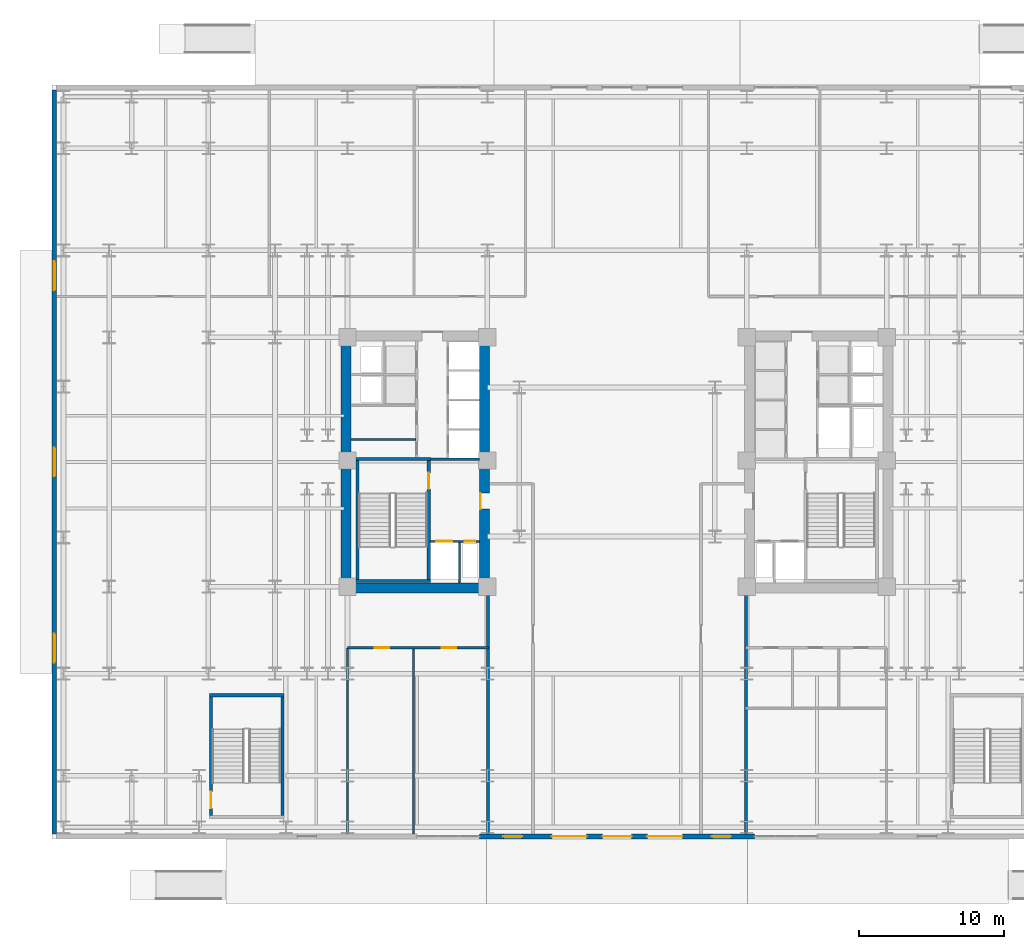
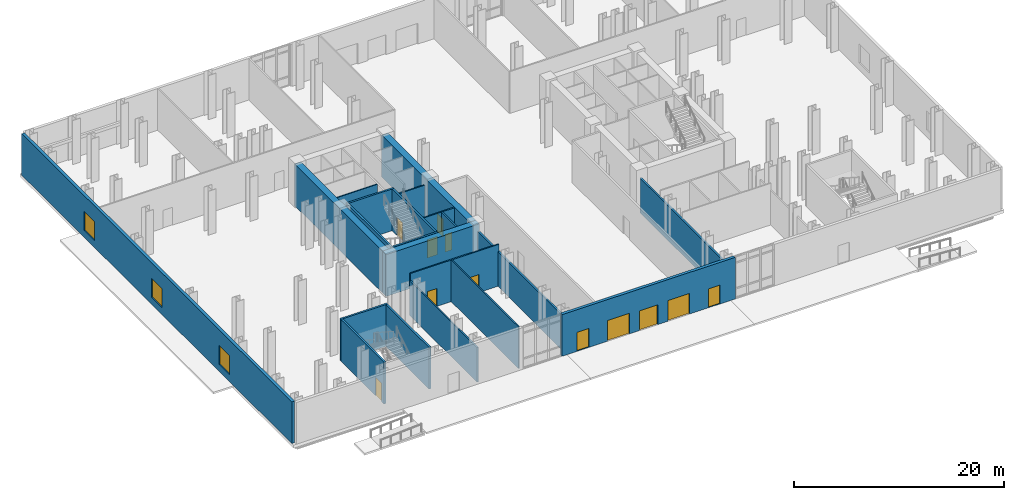
# One storey, part 11 of 21: 21 walls, 12 doors, 3 windows, 15 openings.
"""IFC4 building model written with IfcOpenShell, lengths in metres."""

from ifc_helpers import new_model, si_unit, direction, frame, frame_2d, origin, place, context, subcontext, project, spatial, rectangle, extrude, material, layer, layer_set, type_object, element, fill, save


model = new_model("IFC4")

# Units and contexts
model_context = context("Model", 3, precision=1e-05, world=origin(), true_north=direction((0.0, 1.0)))
body_context = subcontext(model_context, "Body", "Model", "MODEL_VIEW")
ifc_project = project(units=[si_unit("LENGTHUNIT", "METRE"), si_unit("AREAUNIT", "SQUARE_METRE"), si_unit("VOLUMEUNIT", "CUBIC_METRE"), si_unit("PLANEANGLEUNIT", "RADIAN"), si_unit("MASSUNIT", "GRAM", prefix="KILO")], contexts=[model_context])

# Site, building, storey
site_placement = place(None, origin())
site = spatial("IfcSite", under=ifc_project, at=site_placement, CompositionType="ELEMENT")
building_placement = place(site_placement, origin())
building = spatial("IfcBuilding", under=site, at=building_placement, Name="Velakula Bourse", CompositionType="ELEMENT")
storey_placement = place(building_placement, origin())
storey = spatial("IfcBuildingStorey", under=building, at=storey_placement, Name="L00", CompositionType="ELEMENT", Elevation=0.0)

# Wall, opening, door
ifc_material_1 = material(Name="Concrete M50 (fck 50 MPa)", Category="concrete")
ifc_layer_1 = layer(ifc_material_1, 0.2099609375, Name="Concrete M50 (fck 50 MPa)", Category="concrete")
ifc_layer_set_1 = layer_set([ifc_layer_1], Name="Concrete M50 (fck 50 MPa)")
wall_type_1 = type_object("IfcWallType", Name="WL-CORE-210", PredefinedType="SHEAR", material=ifc_layer_set_1)
wall_1_placement = place(storey_placement, frame((-12.9951171875, -8.10009765625, 0.0), z_axis=(0.0, 0.0, 1.0), x_axis=(0.0, 1.0, 0.0)))
wall_1 = element("IfcWall", 1, at=wall_1_placement, inside=storey, type_object=wall_type_1, Name="L00 Core W Stairwell Shear Wall IN", PredefinedType="SHEAR", context=body_context, shape_type="SweptSolid", body=[
    extrude(rectangle(XDim=8.2001953125, YDim=0.2099609375, at=frame_2d((4.10009765625, 0.0))), origin(), (0.0, 0.0, 1.0), 4.85009765625),
])
opening_1_placement = place(wall_1_placement, frame((6.25, 0.0, 0.0)))
opening_1 = element("IfcOpeningElement", 2, at=opening_1_placement, cuts=wall_1, Name="Opening D-STW1", PredefinedType="OPENING", context=body_context, shape_type="SweptSolid", body=[
    extrude(rectangle(XDim=1.10009765625, YDim=2.14990234375, at=frame_2d((0.550048828125, 1.074951171875))), frame((0.0, 0.114990234375, 0.0), z_axis=(0.0, -1.0, 0.0), x_axis=(1.0, 0.0, 0.0)), (0.0, 0.0, 1.0), 0.22998046875),
])
ifc_material_2 = material(Name="Galvanised painted hollow steel fire door", Category="steel")
door_type_1 = type_object("IfcDoorType", Name="DR-FD120-1100x2150", OperationType="NOTDEFINED", PredefinedType="DOOR", material=ifc_material_2)
door_1_placement = place(opening_1_placement, origin())
door_1 = element("IfcDoor", 3, at=door_1_placement, inside=storey, type_object=door_type_1, Name="L00 Stair ST-W1 Fire Door", OperationType="SINGLE_SWING_LEFT", OverallHeight=2.14990234375, OverallWidth=1.10009765625, PredefinedType="DOOR", context=body_context, shape_type="SweptSolid", body=[
    extrude(rectangle(XDim=1.10009765625, YDim=2.14990234375, at=frame_2d((0.550048828125, 1.074951171875))), frame((0.0, 0.02490234375, 0.0), z_axis=(0.0, -1.0, 0.0), x_axis=(1.0, 0.0, 0.0)), (0.0, 0.0, 1.0), 0.050048828125),
])
fill(opening_1, door_1)

# Walls
wall_2_placement = place(storey_placement, frame((-17.925048828125, -8.10009765625, 0.0), z_axis=(0.0, 0.0, 1.0), x_axis=(0.0, 1.0, 0.0)))
element("IfcWall", 4, at=wall_2_placement, inside=storey, type_object=wall_type_1, Name="L00 Core W Stairwell Shear Wall OUT", PredefinedType="SHEAR", context=body_context, shape_type="SweptSolid", body=[
    extrude(rectangle(XDim=8.2001953125, YDim=0.2099609375, at=frame_2d((4.10009765625, 0.0))), origin(), (0.0, 0.0, 1.0), 4.85009765625),
])
for number, where, z_axis, x_axis, name in (
    (5, (-18.030029296875, -8.205078125, 0.0), (0.0, 0.0, 1.0), (1.0, 0.0, 0.0), "L00 Core W Stairwell Shear Wall S"),
    (6, (-12.889892578125, 0.205078125, 0.0), (0.0, 0.0, 1.0), (-1.0, 0.0, 0.0), "L00 Core W Stairwell Shear Wall N"),
):
    element("IfcWall", number, at=place(storey_placement, frame(where, z_axis=z_axis, x_axis=x_axis)), inside=storey, type_object=wall_type_1, Name=name, PredefinedType="SHEAR", context=body_context, shape_type="SweptSolid", body=[
        extrude(rectangle(XDim=5.14013671875, YDim=0.2099609375, at=frame_2d((2.570068359375, 0.0))), origin(), (0.0, 0.0, 1.0), 4.85009765625),
    ])
wall_3_placement = place(storey_placement, frame((-28.1298828125, -16.094970703125, 0.0), z_axis=(0.0, 0.0, 1.0), x_axis=(1.0, 0.0, 0.0)))
element("IfcWall", 7, at=wall_3_placement, inside=storey, type_object=wall_type_1, Name="L00 Podium Stair ST-P1 Shear Wall N", PredefinedType="SHEAR", context=body_context, shape_type="SweptSolid", body=[
    extrude(rectangle(XDim=5.139892578125, YDim=0.2099609375, at=frame_2d((2.56982421875, 0.0))), origin(), (0.0, 0.0, 1.0), 4.85009765625),
])

# Wall, opening, door
wall_4_placement = place(storey_placement, frame((-28.02490234375, -24.39990234375, 0.0), z_axis=(0.0, 0.0, 1.0), x_axis=(0.0, 1.0, 0.0)))
wall_4 = element("IfcWall", 8, at=wall_4_placement, inside=storey, type_object=wall_type_1, Name="L00 Podium Stair ST-P1 Shear Wall W", PredefinedType="SHEAR", context=body_context, shape_type="SweptSolid", body=[
    extrude(rectangle(XDim=8.199951171875, YDim=0.2099609375, at=frame_2d((4.10009765625, 0.0))), origin(), (0.0, 0.0, 1.0), 4.85009765625),
])
opening_2_placement = place(wall_4_placement, frame((0.5, 0.0, 0.0)))
opening_2 = element("IfcOpeningElement", 9, at=opening_2_placement, cuts=wall_4, Name="Opening D-P1", PredefinedType="OPENING", context=body_context, shape_type="SweptSolid", body=[
    extrude(rectangle(XDim=1.14990234375, YDim=2.10009765625, at=frame_2d((0.574951171875, 1.050048828125))), frame((0.0, 0.114990234375, 0.0), z_axis=(0.0, -1.0, 0.0), x_axis=(1.0, 0.0, 0.0)), (0.0, 0.0, 1.0), 0.22998046875),
])
door_type_2 = type_object("IfcDoorType", Name="DR-FD120-1150x2100", OperationType="NOTDEFINED", PredefinedType="DOOR", material=ifc_material_2)
door_2_placement = place(opening_2_placement, origin())
door_2 = element("IfcDoor", 10, at=door_2_placement, inside=storey, type_object=door_type_2, Name="L00 Stair ST-P1 Concourse Discharge Door", OperationType="SINGLE_SWING_RIGHT", OverallHeight=2.10009765625, OverallWidth=1.14990234375, PredefinedType="DOOR", context=body_context, shape_type="SweptSolid", body=[
    extrude(rectangle(XDim=1.14990234375, YDim=2.10009765625, at=frame_2d((0.574951171875, 1.050048828125))), frame((0.0, 0.02490234375, 0.0), z_axis=(0.0, -1.0, 0.0), x_axis=(1.0, 0.0, 0.0)), (0.0, 0.0, 1.0), 0.050048828125),
])
fill(opening_2, door_2)

# Walls
wall_5_placement = place(storey_placement, frame((-23.094970703125, -24.39990234375, 0.0), z_axis=(0.0, 0.0, 1.0), x_axis=(0.0, 1.0, 0.0)))
element("IfcWall", 11, at=wall_5_placement, inside=storey, type_object=wall_type_1, Name="L00 Podium Stair ST-P1 Shear Wall E", PredefinedType="SHEAR", context=body_context, shape_type="SweptSolid", body=[
    extrude(rectangle(XDim=8.199951171875, YDim=0.2099609375, at=frame_2d((4.10009765625, 0.0))), origin(), (0.0, 0.0, 1.0), 4.85009765625),
])
ifc_material_3 = material(Name="Concrete M70 (fck 70 MPa)", Category="concrete")
ifc_layer_2 = layer(ifc_material_3, 0.699951171875, Name="Concrete M70 (fck 70 MPa)", Category="concrete")
ifc_layer_set_2 = layer_set([ifc_layer_2], Name="Concrete M70 (fck 70 MPa)")
wall_type_2 = type_object("IfcWallType", Name="WL-CORE-700", PredefinedType="SHEAR", material=ifc_layer_set_2)
wall_6_placement = place(storey_placement, frame((-19.050048828125, -8.699951171875, 0.0), z_axis=(0.0, 0.0, 1.0), x_axis=(1.0, 0.0, 0.0)))
element("IfcWall", 12, at=wall_6_placement, inside=storey, type_object=wall_type_2, Name="L00 Core W Shear Wall S", PredefinedType="SHEAR", context=body_context, shape_type="SweptSolid", body=[
    extrude(rectangle(XDim=10.25, YDim=0.699951171875, at=frame_2d((5.125, 0.0))), origin(), (0.0, 0.0, 1.0), 4.85009765625),
])
wall_7_placement = place(storey_placement, frame((-18.699951171875, -8.35009765625, 0.0), z_axis=(0.0, 0.0, 1.0), x_axis=(0.0, 1.0, 0.0)))
element("IfcWall", 13, at=wall_7_placement, inside=storey, type_object=wall_type_2, Name="L00 Core W Shear Wall W", PredefinedType="SHEAR", context=body_context, shape_type="SweptSolid", body=[
    extrude(rectangle(XDim=16.7001953125, YDim=0.699951171875, at=frame_2d((8.35009765625, 0.0))), origin(), (0.0, 0.0, 1.0), 4.85009765625),
])

# Wall, opening, door
wall_8_placement = place(storey_placement, frame((-9.14990234375, -8.35009765625, 0.0), z_axis=(0.0, 0.0, 1.0), x_axis=(0.0, 1.0, 0.0)))
wall_8 = element("IfcWall", 14, at=wall_8_placement, inside=storey, type_object=wall_type_2, Name="L00 Core W Shear Wall E", PredefinedType="SHEAR", context=body_context, shape_type="SweptSolid", body=[
    extrude(rectangle(XDim=16.7001953125, YDim=0.699951171875, at=frame_2d((8.35009765625, 0.0))), origin(), (0.0, 0.0, 1.0), 4.85009765625),
])
opening_3_placement = place(wall_8_placement, frame((5.10009765625, 0.0, 0.0)))
opening_3 = element("IfcOpeningElement", 15, at=opening_3_placement, cuts=wall_8, Name="Opening D-FLW", PredefinedType="OPENING", context=body_context, shape_type="SweptSolid", body=[
    extrude(rectangle(XDim=1.10009765625, YDim=2.080078125, at=frame_2d((0.550048828125, 1.0400390625))), frame((0.0, 0.35986328125, 0.0), z_axis=(0.0, -1.0, 0.0), x_axis=(1.0, 0.0, 0.0)), (0.0, 0.0, 1.0), 0.719970703125),
])
door_type_3 = type_object("IfcDoorType", Name="DR-FD120-1100", OperationType="NOTDEFINED", PredefinedType="DOOR", material=ifc_material_2)
door_3_placement = place(opening_3_placement, origin())
door_3 = element("IfcDoor", 16, at=door_3_placement, inside=storey, type_object=door_type_3, Name="L00 Firefighting Lobby W Corridor Fire Door", OperationType="SINGLE_SWING_LEFT", OverallHeight=2.080078125, OverallWidth=1.10009765625, PredefinedType="DOOR", context=body_context, shape_type="SweptSolid", body=[
    extrude(rectangle(XDim=1.10009765625, YDim=2.080078125, at=frame_2d((0.550048828125, 1.0400390625))), frame((0.0, 0.30517578125, 0.0), z_axis=(0.0, -1.0, 0.0), x_axis=(1.0, 0.0, 0.0)), (0.0, 0.0, 1.0), 0.050048828125),
])
fill(opening_3, door_3)

# Wall, openings, doors
ifc_material_4 = material(Name="Red kilned clay facing brick masonry", Category="masonry")
ifc_layer_3 = layer(ifc_material_4, 0.320068359375, Name="Red kilned clay facing brick masonry", Category="masonry")
ifc_layer_set_3 = layer_set([ifc_layer_3], Name="Red kilned clay facing brick masonry")
wall_type_3 = type_object("IfcWallType", Name="WL-EXT-BRK-320", PredefinedType="STANDARD", material=ifc_layer_set_3)
wall_9_placement = place(storey_placement, frame((9.5, -25.840087890625, 0.0), z_axis=(0.0, 0.0, 1.0), x_axis=(-1.0, 0.0, 0.0)))
wall_9 = element("IfcWall", 17, at=wall_9_placement, inside=storey, type_object=wall_type_3, Name="L00 South Brick Facade Wall 3", PredefinedType="STANDARD", context=body_context, shape_type="SweptSolid", body=[
    extrude(rectangle(XDim=19.0, YDim=0.320068359375, at=frame_2d((9.5, 0.0))), origin(), (0.0, 0.0, 1.0), 4.830078125),
])
opening_4_placement = place(wall_9_placement, frame((1.64990234375, 0.0, 0.0)))
opening_4 = element("IfcOpeningElement", 18, at=opening_4_placement, cuts=wall_9, Name="Opening D-EXD-E1", PredefinedType="OPENING", context=body_context, shape_type="SweptSolid", body=[
    extrude(rectangle(XDim=1.300048828125, YDim=2.199951171875, at=frame_2d((0.64990234375, 1.10009765625))), frame((0.0, 0.169921875, 0.0), z_axis=(0.0, -1.0, 0.0), x_axis=(1.0, 0.0, 0.0)), (0.0, 0.0, 1.0), 0.340087890625),
])
opening_5_placement = place(wall_9_placement, frame((5.0, 0.0, 0.0)))
opening_5 = element("IfcOpeningElement", 19, at=opening_5_placement, cuts=wall_9, Name="Opening G-ST1", PredefinedType="OPENING", context=body_context, shape_type="SweptSolid", body=[
    extrude(rectangle(XDim=2.39990234375, YDim=2.39990234375, at=frame_2d((1.199951171875, 1.199951171875))), frame((0.0, 0.169921875, 0.0), z_axis=(0.0, -1.0, 0.0), x_axis=(1.0, 0.0, 0.0)), (0.0, 0.0, 1.0), 0.340087890625),
])
opening_6_placement = place(wall_9_placement, frame((8.5, 0.0, 0.0)))
opening_6 = element("IfcOpeningElement", 20, at=opening_6_placement, cuts=wall_9, Name="Opening D-EX0", PredefinedType="OPENING", context=body_context, shape_type="SweptSolid", body=[
    extrude(rectangle(XDim=2.0, YDim=2.300048828125, at=frame_2d((1.0, 1.14990234375))), frame((0.0, 0.169921875, 0.0), z_axis=(0.0, -1.0, 0.0), x_axis=(1.0, 0.0, 0.0)), (0.0, 0.0, 1.0), 0.340087890625),
])
opening_7_placement = place(wall_9_placement, frame((11.60009765625, 0.0, 0.0)))
opening_7 = element("IfcOpeningElement", 21, at=opening_7_placement, cuts=wall_9, Name="Opening G-ST1", PredefinedType="OPENING", context=body_context, shape_type="SweptSolid", body=[
    extrude(rectangle(XDim=2.39990234375, YDim=2.39990234375, at=frame_2d((1.199951171875, 1.199951171875))), frame((0.0, 0.169921875, 0.0), z_axis=(0.0, -1.0, 0.0), x_axis=(1.0, 0.0, 0.0)), (0.0, 0.0, 1.0), 0.340087890625),
])
opening_8_placement = place(wall_9_placement, frame((16.050048828125, 0.0, 0.0)))
opening_8 = element("IfcOpeningElement", 22, at=opening_8_placement, cuts=wall_9, Name="Opening D-EXD-W1", PredefinedType="OPENING", context=body_context, shape_type="SweptSolid", body=[
    extrude(rectangle(XDim=1.300048828125, YDim=2.199951171875, at=frame_2d((0.64990234375, 1.10009765625))), frame((0.0, 0.169921875, 0.0), z_axis=(0.0, -1.0, 0.0), x_axis=(1.0, 0.0, 0.0)), (0.0, 0.0, 1.0), 0.340087890625),
])
ifc_material_5 = material(Name="Anodised bronze architectural aluminium", Category="aluminium")
door_type_4 = type_object("IfcDoorType", Name="DR-EXT-DBL-2000", OperationType="DOUBLE_DOOR_SINGLE_SWING", PredefinedType="DOOR", material=ifc_material_5)
door_4_placement = place(opening_6_placement, origin())
door_4 = element("IfcDoor", 23, at=door_4_placement, inside=storey, type_object=door_type_4, Name="L00 Exchange Main South Entrance Door", OperationType="DOUBLE_DOOR_SINGLE_SWING", OverallHeight=2.300048828125, OverallWidth=2.0, PredefinedType="DOOR", context=body_context, shape_type="SweptSolid", body=[
    extrude(rectangle(XDim=2.0, YDim=2.300048828125, at=frame_2d((1.0, 1.14990234375))), frame((0.0, 0.02490234375, 0.0), z_axis=(0.0, -1.0, 0.0), x_axis=(1.0, 0.0, 0.0)), (0.0, 0.0, 1.0), 0.050048828125),
])
fill(opening_6, door_4)
door_type_5 = type_object("IfcDoorType", Name="DR-EXT-EXIT-1300", OperationType="NOTDEFINED", PredefinedType="DOOR", material=ifc_material_5)
door_5_placement = place(opening_4_placement, origin())
door_5 = element("IfcDoor", 24, at=door_5_placement, inside=storey, type_object=door_type_5, Name="L00 East Protected Exit Passage Final Exit Door", OperationType="SINGLE_SWING_RIGHT", OverallHeight=2.199951171875, OverallWidth=1.300048828125, PredefinedType="DOOR", context=body_context, shape_type="SweptSolid", body=[
    extrude(rectangle(XDim=1.300048828125, YDim=2.199951171875, at=frame_2d((0.64990234375, 1.10009765625))), frame((0.0, 0.02490234375, 0.0), z_axis=(0.0, -1.0, 0.0), x_axis=(1.0, 0.0, 0.0)), (0.0, 0.0, 1.0), 0.050048828125),
])
fill(opening_4, door_5)
door_6_placement = place(opening_8_placement, origin())
door_6 = element("IfcDoor", 25, at=door_6_placement, inside=storey, type_object=door_type_5, Name="L00 West Protected Exit Passage Final Exit Door", OperationType="SINGLE_SWING_LEFT", OverallHeight=2.199951171875, OverallWidth=1.300048828125, PredefinedType="DOOR", context=body_context, shape_type="SweptSolid", body=[
    extrude(rectangle(XDim=1.300048828125, YDim=2.199951171875, at=frame_2d((0.64990234375, 1.10009765625))), frame((0.0, 0.02490234375, 0.0), z_axis=(0.0, -1.0, 0.0), x_axis=(1.0, 0.0, 0.0)), (0.0, 0.0, 1.0), 0.050048828125),
])
fill(opening_8, door_6)
door_type_6 = type_object("IfcDoorType", Name="DR-GATE-STN-2400", OperationType="DOUBLE_DOOR_SINGLE_SWING", PredefinedType="GATE", material=ifc_material_5)
door_7_placement = place(opening_5_placement, origin())
door_7 = element("IfcDoor", 26, at=door_7_placement, inside=storey, type_object=door_type_6, Name="L00 South Metro Portal Gate East", OperationType="DOUBLE_DOOR_SINGLE_SWING", OverallHeight=2.39990234375, OverallWidth=2.39990234375, PredefinedType="GATE", context=body_context, shape_type="SweptSolid", body=[
    extrude(rectangle(XDim=2.39990234375, YDim=2.39990234375, at=frame_2d((1.199951171875, 1.199951171875))), frame((0.0, 0.02490234375, 0.0), z_axis=(0.0, -1.0, 0.0), x_axis=(1.0, 0.0, 0.0)), (0.0, 0.0, 1.0), 0.050048828125),
])
fill(opening_5, door_7)
door_8_placement = place(opening_7_placement, origin())
door_8 = element("IfcDoor", 27, at=door_8_placement, inside=storey, type_object=door_type_6, Name="L00 South Metro Portal Gate West", OperationType="DOUBLE_DOOR_SINGLE_SWING", OverallHeight=2.39990234375, OverallWidth=2.39990234375, PredefinedType="GATE", context=body_context, shape_type="SweptSolid", body=[
    extrude(rectangle(XDim=2.39990234375, YDim=2.39990234375, at=frame_2d((1.199951171875, 1.199951171875))), frame((0.0, 0.02490234375, 0.0), z_axis=(0.0, -1.0, 0.0), x_axis=(1.0, 0.0, 0.0)), (0.0, 0.0, 1.0), 0.050048828125),
])
fill(opening_7, door_8)

# Wall, openings, windows
wall_10_placement = place(storey_placement, frame((-38.840087890625, -25.679931640625, 0.0), z_axis=(0.0, 0.0, 1.0), x_axis=(0.0, 1.0, 0.0)))
wall_10 = element("IfcWall", 28, at=wall_10_placement, inside=storey, type_object=wall_type_3, Name="L00 W Brick Facade Wall", PredefinedType="STANDARD", context=body_context, shape_type="SweptSolid", body=[
    extrude(rectangle(XDim=51.35986328125, YDim=0.320068359375, at=frame_2d((25.679931640625, 0.0))), origin(), (0.0, 0.0, 1.0), 4.830078125),
])
opening_9_placement = place(wall_10_placement, frame((11.840087890625, 0.0, 0.800048828125)))
opening_9 = element("IfcOpeningElement", 29, at=opening_9_placement, cuts=wall_10, Name="Opening W-07", PredefinedType="OPENING", context=body_context, shape_type="SweptSolid", body=[
    extrude(rectangle(XDim=2.0, YDim=2.199951171875, at=frame_2d((1.0, 1.10009765625))), frame((0.0, 0.169921875, 0.0), z_axis=(0.0, -1.0, 0.0), x_axis=(1.0, 0.0, 0.0)), (0.0, 0.0, 1.0), 0.340087890625),
])
opening_10_placement = place(wall_10_placement, frame((24.679931640625, 0.0, 0.800048828125)))
opening_10 = element("IfcOpeningElement", 30, at=opening_10_placement, cuts=wall_10, Name="Opening W-07", PredefinedType="OPENING", context=body_context, shape_type="SweptSolid", body=[
    extrude(rectangle(XDim=2.0, YDim=2.199951171875, at=frame_2d((1.0, 1.10009765625))), frame((0.0, 0.169921875, 0.0), z_axis=(0.0, -1.0, 0.0), x_axis=(1.0, 0.0, 0.0)), (0.0, 0.0, 1.0), 0.340087890625),
])
opening_11_placement = place(wall_10_placement, frame((37.52001953125, 0.0, 0.800048828125)))
opening_11 = element("IfcOpeningElement", 31, at=opening_11_placement, cuts=wall_10, Name="Opening W-07", PredefinedType="OPENING", context=body_context, shape_type="SweptSolid", body=[
    extrude(rectangle(XDim=2.0, YDim=2.199951171875, at=frame_2d((1.0, 1.10009765625))), frame((0.0, 0.169921875, 0.0), z_axis=(0.0, -1.0, 0.0), x_axis=(1.0, 0.0, 0.0)), (0.0, 0.0, 1.0), 0.340087890625),
])
ifc_material_6 = material(Name="Double-glazed solar-control Low-E glass", Category="glass")
window_type = type_object("IfcWindowType", Name="WIN-POD-2000x2400", PartitioningType="DOUBLE_PANEL_VERTICAL", PredefinedType="WINDOW", material=ifc_material_6)
window_1_placement = place(opening_9_placement, origin())
window_1 = element("IfcWindow", 32, at=window_1_placement, inside=storey, type_object=window_type, Name="L00 Deep-Set Recessed Window 1", OverallHeight=2.199951171875, OverallWidth=2.0, PartitioningType="DOUBLE_PANEL_VERTICAL", PredefinedType="WINDOW", context=body_context, shape_type="SweptSolid", body=[
    extrude(rectangle(XDim=2.0, YDim=2.199951171875, at=frame_2d((1.0, 1.10009765625))), frame((0.0, 0.030029296875, 0.0), z_axis=(0.0, -1.0, 0.0), x_axis=(1.0, 0.0, 0.0)), (0.0, 0.0, 1.0), 0.06005859375),
])
fill(opening_9, window_1)
window_2_placement = place(opening_10_placement, origin())
window_2 = element("IfcWindow", 33, at=window_2_placement, inside=storey, type_object=window_type, Name="L00 Deep-Set Recessed Window 2", OverallHeight=2.199951171875, OverallWidth=2.0, PartitioningType="DOUBLE_PANEL_VERTICAL", PredefinedType="WINDOW", context=body_context, shape_type="SweptSolid", body=[
    extrude(rectangle(XDim=2.0, YDim=2.199951171875, at=frame_2d((1.0, 1.10009765625))), frame((0.0, 0.030029296875, 0.0), z_axis=(0.0, -1.0, 0.0), x_axis=(1.0, 0.0, 0.0)), (0.0, 0.0, 1.0), 0.06005859375),
])
fill(opening_10, window_2)
window_3_placement = place(opening_11_placement, origin())
window_3 = element("IfcWindow", 34, at=window_3_placement, inside=storey, type_object=window_type, Name="L00 Deep-Set Recessed Window 3", OverallHeight=2.199951171875, OverallWidth=2.0, PartitioningType="DOUBLE_PANEL_VERTICAL", PredefinedType="WINDOW", context=body_context, shape_type="SweptSolid", body=[
    extrude(rectangle(XDim=2.0, YDim=2.199951171875, at=frame_2d((1.0, 1.10009765625))), frame((0.0, 0.030029296875, 0.0), z_axis=(0.0, -1.0, 0.0), x_axis=(1.0, 0.0, 0.0)), (0.0, 0.0, 1.0), 0.06005859375),
])
fill(opening_11, window_3)

# Wall
ifc_material_7 = material(Name="Fire-rated double-layer gypsum drywall partition", Category="gypsum")
ifc_layer_4 = layer(ifc_material_7, 0.1201171875, Name="Fire-rated double-layer gypsum drywall partition", Category="gypsum")
ifc_layer_set_4 = layer_set([ifc_layer_4], Name="Fire-rated double-layer gypsum drywall partition")
wall_type_4 = type_object("IfcWallType", Name="WL-PART-120", PredefinedType="STANDARD", material=ifc_layer_set_4)
wall_11_placement = place(storey_placement, frame((-18.35009765625, 1.550048828125, 0.0), z_axis=(0.0, 0.0, 1.0), x_axis=(1.0, 0.0, 0.0)))
element("IfcWall", 35, at=wall_11_placement, inside=storey, type_object=wall_type_4, Name="L00 Interior Partition WL-CRW-L00-K1", PredefinedType="STANDARD", context=body_context, shape_type="SweptSolid", body=[
    extrude(rectangle(XDim=4.4501953125, YDim=0.1201171875, at=frame_2d((2.22509765625, 0.0))), origin(), (0.0, 0.0, 1.0), 4.830078125),
])

# Wall, openings, doors
ifc_layer_5 = layer(ifc_material_7, 0.139892578125, Name="Fire-rated double-layer gypsum drywall partition", Category="gypsum")
ifc_layer_set_5 = layer_set([ifc_layer_5], Name="Fire-rated double-layer gypsum drywall partition")
wall_type_5 = type_object("IfcWallType", Name="WL-PART-140", PredefinedType="STANDARD", material=ifc_layer_set_5)
wall_12_placement = place(storey_placement, frame((-18.60009765625, -12.820068359375, 0.0), z_axis=(0.0, 0.0, 1.0), x_axis=(1.0, 0.0, 0.0)))
wall_12 = element("IfcWall", 36, at=wall_12_placement, inside=storey, type_object=wall_type_5, Name="L00 Interior Partition WL-POD-L00-SW-CORR", PredefinedType="STANDARD", context=body_context, shape_type="SweptSolid", body=[
    extrude(rectangle(XDim=9.72021484375, YDim=0.14990234375, at=frame_2d((4.860107421875, 0.0))), origin(), (0.0, 0.0, 1.0), 4.830078125),
])
opening_12_placement = place(wall_12_placement, frame((1.89599609375, 0.0, 0.0)))
opening_12 = element("IfcOpeningElement", 37, at=opening_12_placement, cuts=wall_12, Name="Opening D-OF1", PredefinedType="OPENING", context=body_context, shape_type="SweptSolid", body=[
    extrude(rectangle(XDim=1.0, YDim=2.080078125, at=frame_2d((0.5, 1.0400390625))), frame((0.0, 0.0849609375, 0.0), z_axis=(0.0, -1.0, 0.0), x_axis=(1.0, 0.0, 0.0)), (0.0, 0.0, 1.0), 0.169921875),
])
opening_13_placement = place(wall_12_placement, frame((6.513916015625, 0.0, 0.0)))
opening_13 = element("IfcOpeningElement", 38, at=opening_13_placement, cuts=wall_12, Name="Opening D-OF1", PredefinedType="OPENING", context=body_context, shape_type="SweptSolid", body=[
    extrude(rectangle(XDim=1.0, YDim=2.080078125, at=frame_2d((0.5, 1.0400390625))), frame((0.0, 0.0849609375, 0.0), z_axis=(0.0, -1.0, 0.0), x_axis=(1.0, 0.0, 0.0)), (0.0, 0.0, 1.0), 0.169921875),
])
ifc_material_8 = material(Name="Fire-rated hardwood flush architectural door", Category="wood")
door_type_7 = type_object("IfcDoorType", Name="DR-OFF-1000", OperationType="NOTDEFINED", PredefinedType="DOOR", material=ifc_material_8)
door_9_placement = place(opening_12_placement, origin())
door_9 = element("IfcDoor", 39, at=door_9_placement, inside=storey, type_object=door_type_7, Name="L00 Covered Service Loading Bay Office Door", OperationType="SINGLE_SWING_LEFT", OverallHeight=2.080078125, OverallWidth=1.0, PredefinedType="DOOR", context=body_context, shape_type="SweptSolid", body=[
    extrude(rectangle(XDim=1.0, YDim=2.080078125, at=frame_2d((0.5, 1.0400390625))), frame((0.0, 0.02490234375, 0.0), z_axis=(0.0, -1.0, 0.0), x_axis=(1.0, 0.0, 0.0)), (0.0, 0.0, 1.0), 0.050048828125),
])
fill(opening_12, door_9)
door_10_placement = place(opening_13_placement, origin())
door_10 = element("IfcDoor", 40, at=door_10_placement, inside=storey, type_object=door_type_7, Name="L00 Security Screening Office Door", OperationType="SINGLE_SWING_RIGHT", OverallHeight=2.080078125, OverallWidth=1.0, PredefinedType="DOOR", context=body_context, shape_type="SweptSolid", body=[
    extrude(rectangle(XDim=1.0, YDim=2.080078125, at=frame_2d((0.5, 1.0400390625))), frame((0.0, 0.02490234375, 0.0), z_axis=(0.0, -1.0, 0.0), x_axis=(1.0, 0.0, 0.0)), (0.0, 0.0, 1.0), 0.050048828125),
])
fill(opening_13, door_10)

# Walls
wall_13_placement = place(storey_placement, frame((-18.60009765625, -25.679931640625, 0.0), z_axis=(0.0, 0.0, 1.0), x_axis=(0.0, 1.0, 0.0)))
element("IfcWall", 41, at=wall_13_placement, inside=storey, type_object=wall_type_5, Name="L00 Interior Partition WL-POD-L00-SW-END", PredefinedType="STANDARD", context=body_context, shape_type="SweptSolid", body=[
    extrude(rectangle(XDim=12.85986328125, YDim=0.139892578125, at=frame_2d((6.429931640625, 0.0))), origin(), (0.0, 0.0, 1.0), 4.02490234375),
])
wall_14_placement = place(storey_placement, frame((-14.050048828125, -25.679931640625, 0.0), z_axis=(0.0, 0.0, 1.0), x_axis=(0.0, 1.0, 0.0)))
element("IfcWall", 42, at=wall_14_placement, inside=storey, type_object=wall_type_5, Name="L00 Interior Partition WL-POD-L00-SW-D1", PredefinedType="STANDARD", context=body_context, shape_type="SweptSolid", body=[
    extrude(rectangle(XDim=12.7900390625, YDim=0.139892578125, at=frame_2d((6.39501953125, 0.0))), origin(), (0.0, 0.0, 1.0), 4.830078125),
])

# Wall, openings, doors
ifc_material_9 = material(Name="Autoclaved aerated concrete blockwork masonry", Category="masonry")
ifc_layer_6 = layer(ifc_material_9, 0.14990234375, Name="Autoclaved aerated concrete blockwork masonry", Category="masonry")
ifc_layer_set_6 = layer_set([ifc_layer_6], Name="Autoclaved aerated concrete blockwork masonry")
wall_type_6 = type_object("IfcWallType", Name="WL-SHAFT-150", PredefinedType="STANDARD", material=ifc_layer_set_6)
wall_15_placement = place(storey_placement, frame((-12.89501953125, -5.47509765625, 0.0), z_axis=(0.0, 0.0, 1.0), x_axis=(1.0, 0.0, 0.0)))
wall_15 = element("IfcWall", 43, at=wall_15_placement, inside=storey, type_object=wall_type_6, Name="L00 Interior Partition WL-CRW-L00-FFL-N", PredefinedType="STANDARD", context=body_context, shape_type="SweptSolid", body=[
    extrude(rectangle(XDim=3.39501953125, YDim=0.14990234375, at=frame_2d((1.697509765625, 0.0))), origin(), (0.0, 0.0, 1.0), 4.830078125),
])
opening_14_placement = place(wall_15_placement, frame((0.419921875, 0.0, 0.0)))
opening_14 = element("IfcOpeningElement", 44, at=opening_14_placement, cuts=wall_15, Name="Opening LD-FFL-1", PredefinedType="OPENING", context=body_context, shape_type="SweptSolid", body=[
    extrude(rectangle(XDim=1.10009765625, YDim=2.14990234375, at=frame_2d((0.550048828125, 1.074951171875))), frame((0.0, 0.0849609375, 0.0), z_axis=(0.0, -1.0, 0.0), x_axis=(1.0, 0.0, 0.0)), (0.0, 0.0, 1.0), 0.169921875),
])
opening_15_placement = place(wall_15_placement, frame((2.3701171875, 0.0, 0.0)))
opening_15 = element("IfcOpeningElement", 45, at=opening_15_placement, cuts=wall_15, Name="Opening D-RS1", PredefinedType="OPENING", context=body_context, shape_type="SweptSolid", body=[
    extrude(rectangle(XDim=0.75, YDim=2.050048828125, at=frame_2d((0.375, 1.02490234375))), frame((0.0, 0.0849609375, 0.0), z_axis=(0.0, -1.0, 0.0), x_axis=(1.0, 0.0, 0.0)), (0.0, 0.0, 1.0), 0.169921875),
])
door_type_8 = type_object("IfcDoorType", Name="DR-RISER-800", OperationType="NOTDEFINED", PredefinedType="DOOR", material=ifc_material_2)
door_11_placement = place(opening_15_placement, origin())
door_11 = element("IfcDoor", 46, at=door_11_placement, inside=storey, type_object=door_type_8, Name="L00 Fire Riser Access Door", OperationType="SINGLE_SWING_RIGHT", OverallHeight=2.050048828125, OverallWidth=0.75, PredefinedType="DOOR", context=body_context, shape_type="SweptSolid", body=[
    extrude(rectangle(XDim=0.75, YDim=2.050048828125, at=frame_2d((0.375, 1.02490234375))), frame((0.0, 0.02490234375, 0.0), z_axis=(0.0, -1.0, 0.0), x_axis=(1.0, 0.0, 0.0)), (0.0, 0.0, 1.0), 0.050048828125),
])
fill(opening_15, door_11)
ifc_material_10 = material(Name="Brushed grade 316 stainless steel", Category="steel")
door_type_9 = type_object("IfcDoorType", Name="DR-SLIDE-FFL-1100", OperationType="DOUBLE_DOOR_SLIDING", PredefinedType="DOOR", material=ifc_material_10)
door_12_placement = place(opening_14_placement, origin())
door_12 = element("IfcDoor", 47, at=door_12_placement, inside=storey, type_object=door_type_9, Name="L00 Firefighting Lift FFL-1 Sliding Landing Door", OperationType="DOUBLE_DOOR_SLIDING", OverallHeight=2.14990234375, OverallWidth=1.10009765625, PredefinedType="DOOR", context=body_context, shape_type="SweptSolid", body=[
    extrude(rectangle(XDim=1.10009765625, YDim=2.14990234375, at=frame_2d((0.550048828125, 1.074951171875))), frame((0.0, 0.02490234375, 0.0), z_axis=(0.0, -1.0, 0.0), x_axis=(1.0, 0.0, 0.0)), (0.0, 0.0, 1.0), 0.050048828125),
])
fill(opening_14, door_12)

# Walls
wall_16_placement = place(storey_placement, frame((-10.875, -8.35009765625, 0.0), z_axis=(0.0, 0.0, 1.0), x_axis=(0.0, 1.0, 0.0)))
element("IfcWall", 48, at=wall_16_placement, inside=storey, type_object=wall_type_6, Name="L00 Interior Partition WL-CRW-L00-FR-DIV", PredefinedType="STANDARD", context=body_context, shape_type="SweptSolid", body=[
    extrude(rectangle(XDim=2.800048828125, YDim=0.14990234375, at=frame_2d((1.39990234375, 0.0))), origin(), (0.0, 0.0, 1.0), 4.830078125),
])
wall_17_placement = place(storey_placement, frame((-12.889892578125, 0.18994140625, 0.0), z_axis=(0.0, 0.0, 1.0), x_axis=(1.0, 0.0, 0.0)))
element("IfcWall", 49, at=wall_17_placement, inside=storey, type_object=wall_type_6, Name="L00 Interior Partition WL-CRW-L00-FF-TOP", PredefinedType="STANDARD", context=body_context, shape_type="SweptSolid", body=[
    extrude(rectangle(XDim=3.389892578125, YDim=0.14990234375, at=frame_2d((1.69482421875, 0.0))), origin(), (0.0, 0.0, 1.0), 4.02490234375),
])
ifc_layer_7 = layer(ifc_material_9, 0.199951171875, Name="Autoclaved aerated concrete blockwork masonry", Category="masonry")
ifc_layer_set_7 = layer_set([ifc_layer_7], Name="Autoclaved aerated concrete blockwork masonry")
wall_type_7 = type_object("IfcWallType", Name="WL-SHAFT-200", PredefinedType="STANDARD", material=ifc_layer_set_7)
for number, where, z_axis, x_axis, name in (
    (50, (-8.89990234375, -25.679931640625, 0.0), (0.0, 0.0, 1.0), (0.0, 1.0, 0.0), "L00 Interior Partition WL-EXP-L00-CW-OUT"),
    (51, (8.89990234375, -25.679931640625, 0.0), (0.0, 0.0, 1.0), (0.0, 1.0, 0.0), "L00 Interior Partition WL-EXP-L00-CE-OUT"),
):
    element("IfcWall", number, at=place(storey_placement, frame(where, z_axis=z_axis, x_axis=x_axis)), inside=storey, type_object=wall_type_7, Name=name, PredefinedType="STANDARD", context=body_context, shape_type="SweptSolid", body=[
        extrude(rectangle(XDim=16.6298828125, YDim=0.199951171875, at=frame_2d((8.31494140625, 0.0))), origin(), (0.0, 0.0, 1.0), 4.02490234375),
    ])

save(model, "model.ifc")
